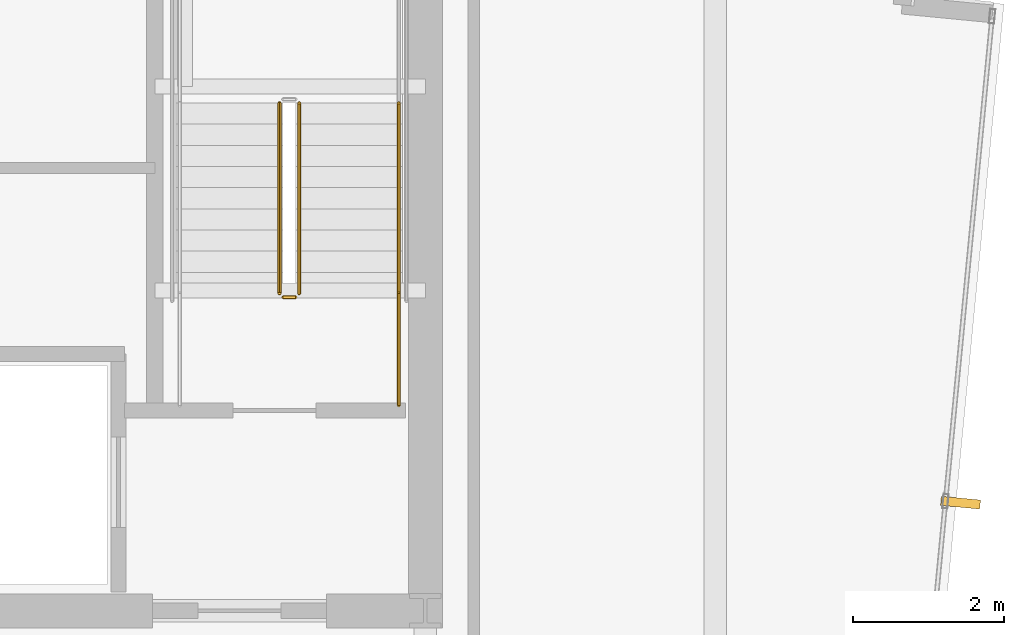
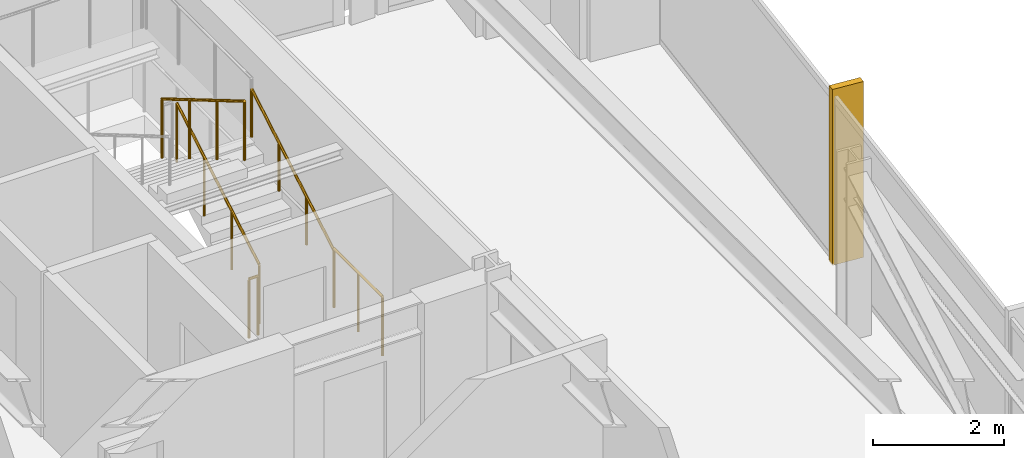
# One storey, part 35 of 37: 5 railings, 1 shading device.
"""IFC4 building model written with IfcOpenShell, lengths in metres."""

import ifcopenshell
import ifcopenshell.guid

model = None  # the IFC model being written
_history = None  # IfcOwnerHistory: only IFC2X3 demands one
_inside = {}  # id of a spatial element -> (the spatial element, [elements in it])
_under = {}  # id of a project, library or spatial element -> (it, [spatial elements below it])
_declared = {}  # id of a project -> (the project, [libraries it declares])
_typed = {}  # id of a type object -> (the type object, [elements of that type])
_made_of = {}  # id of a material, layer set ... -> (it, [elements and type objects made of it])


def new_model(schema):
    """Start an empty IFC model of exactly this schema.

    Asked for "IFC4X3", IfcOpenShell would pick the latest addendum, in which some entities
    have other attributes; the version numbers below select the first issue.
    IFC2X3 requires an IfcOwnerHistory on every rooted entity: one is made here for all.
    """
    global model, _history
    if schema == "IFC4X3":
        model = ifcopenshell.file(schema_version=(4, 3, 0, 0))
    else:
        model = ifcopenshell.file(schema=schema)
    _inside.clear()
    _under.clear()
    _declared.clear()
    _typed.clear()
    _made_of.clear()
    _history = None
    if model.schema == "IFC2X3":
        org = make("IfcOrganization", Name="unknown")
        user = make(
            "IfcPersonAndOrganization",
            ThePerson=make("IfcPerson", FamilyName="unknown"),
            TheOrganization=org,
        )
        app = make(
            "IfcApplication",
            ApplicationDeveloper=org,
            Version="unknown",
            ApplicationFullName="unknown",
            ApplicationIdentifier="unknown",
        )
        _history = make(
            "IfcOwnerHistory",
            OwningUser=user,
            OwningApplication=app,
            ChangeAction="ADDED",
            CreationDate=0,
        )
    return model


def make(cls, **values):
    """One entity of the class cls with the attributes given. An attribute that is None is left unset."""
    return model.create_entity(
        cls, **{name: value for name, value in values.items() if value is not None}
    )


def rooted(cls, **values):
    """An entity with a GlobalId (a new one), such as an element, a storey or a relation."""
    return make(cls, GlobalId=ifcopenshell.guid.new(), OwnerHistory=_history, **values)


def si_unit(unit_type, name, prefix=None):
    """IfcSIUnit, for example si_unit("LENGTHUNIT", "METRE", prefix="MILLI")."""
    return make("IfcSIUnit", UnitType=unit_type, Prefix=prefix, Name=name)


def assignment(units):
    """IfcUnitAssignment: the units of a project."""
    return None if units is None else make("IfcUnitAssignment", Units=units)


def point(xyz):
    """IfcCartesianPoint."""
    return None if xyz is None else make("IfcCartesianPoint", Coordinates=xyz)


def direction(xyz):
    """IfcDirection."""
    return None if xyz is None else make("IfcDirection", DirectionRatios=xyz)


def frame(location, z_axis=None, x_axis=None):
    """IfcAxis2Placement3D, a coordinate frame: its origin and axes. An axis left out is left unset."""
    return make(
        "IfcAxis2Placement3D",
        Location=point(location),
        Axis=direction(z_axis),
        RefDirection=direction(x_axis),
    )


def frame_2d(location, x_axis=None):
    """IfcAxis2Placement2D, a coordinate frame in the plane: its origin and x axis."""
    return make(
        "IfcAxis2Placement2D", Location=point(location), RefDirection=direction(x_axis)
    )


def origin():
    """The frame at (0, 0, 0) with its axes left unset."""
    return frame((0.0, 0.0, 0.0))


def origin_2d():
    """The frame at (0, 0) in the plane with its x axis left unset."""
    return frame_2d((0.0, 0.0))


def place(relative_to, where):
    """IfcLocalPlacement: puts the frame where relative to a parent placement (None: the world)."""
    return make(
        "IfcLocalPlacement", PlacementRelTo=relative_to, RelativePlacement=where
    )


def context(
    kind, dimensions, precision=None, world=None, true_north=None, identifier=None
):
    """IfcGeometricRepresentationContext, for example the 3D "Model" context."""
    return make(
        "IfcGeometricRepresentationContext",
        ContextIdentifier=identifier,
        ContextType=kind,
        CoordinateSpaceDimension=dimensions,
        Precision=precision,
        WorldCoordinateSystem=world,
        TrueNorth=true_north,
    )


def subcontext(parent, identifier, kind, view, scale=None):
    """IfcGeometricRepresentationSubContext, for example "Body" below "Model"."""
    return make(
        "IfcGeometricRepresentationSubContext",
        ContextIdentifier=identifier,
        ContextType=kind,
        ParentContext=parent,
        TargetScale=scale,
        TargetView=view,
    )


def project(units=None, contexts=None):
    """IfcProject with its units and contexts."""
    return rooted(
        "IfcProject",
        Name="project",
        RepresentationContexts=contexts,
        UnitsInContext=assignment(units),
    )


def spatial(cls, under=None, at=None, **own):
    """A site, building, storey or space (cls), placed at a placement, below another one or the project."""
    s = rooted(cls, ObjectPlacement=at, **own)
    if under is not None:
        _under.setdefault(under.id(), (under, []))[1].append(s)
    return s


def profile(cls, at=None, kind="AREA", **sizes):
    """A parametric profile (cls). Its sizes go by their IFC names, for example OverallWidth=200.0."""
    return make(cls, ProfileType=kind, Position=at, **sizes)


def rectangle(**sizes):
    """IfcRectangleProfileDef."""
    return profile("IfcRectangleProfileDef", **sizes)


def circle(**sizes):
    """IfcCircleProfileDef."""
    return profile("IfcCircleProfileDef", **sizes)


def extrude(swept, where, along, depth):
    """IfcExtrudedAreaSolid: the profile swept, set in the frame where, extruded along a direction by depth."""
    return make(
        "IfcExtrudedAreaSolid",
        SweptArea=swept,
        Position=where,
        ExtrudedDirection=direction(along),
        Depth=depth,
    )


def shape(context_of_items, identifier, shape_type, items):
    """IfcShapeRepresentation: the items that make up one representation, for example the "Body"."""
    return make(
        "IfcShapeRepresentation",
        ContextOfItems=context_of_items,
        RepresentationIdentifier=identifier,
        RepresentationType=shape_type,
        Items=items,
    )


def material(Name=None, Category=None):
    """IfcMaterial."""
    return make("IfcMaterial", Name=Name, Category=Category)


def layer(
    of_material, thickness, ventilated=None, Name=None, Category=None, Priority=None
):
    """IfcMaterialLayer: one layer of a wall or slab, of a material (None: an air gap)."""
    return make(
        "IfcMaterialLayer",
        Material=of_material,
        LayerThickness=thickness,
        IsVentilated=ventilated,
        Name=Name,
        Category=Category,
        Priority=Priority,
    )


def layer_set(layers, Name=None):
    """IfcMaterialLayerSet."""
    return make("IfcMaterialLayerSet", MaterialLayers=layers, LayerSetName=Name)


def made_of(thing, what):
    """Note that an element or type object is made of a material, layer set ...; save() writes the relation."""
    if what is not None:
        _made_of.setdefault(what.id(), (what, []))[1].append(thing)
    return thing


def type_object(cls, material=None, **own):
    """A type object (cls), such as IfcWallType, which elements share."""
    return made_of(rooted(cls, **own), material)


def element(
    cls,
    number,
    at=None,
    inside=None,
    cuts=None,
    type_object=None,
    material=None,
    context=None,
    identifier="Body",
    shape_type=None,
    held_by="IfcProductDefinitionShape",
    body=None,
    shapes=None,
    **own,
):
    """One element of the class cls, such as IfcWall. Its Tag is "e" and its number.

    at: its placement. inside: the storey or other place that contains it. cuts: it is an
    opening in that element (IfcRelVoidsElement). A single representation is given by context,
    identifier, shape_type and body (its items); several are given by shapes. held_by: the class
    of the entity that holds the representations. save() writes the other relations.
    """
    e = rooted(cls, Tag="e%d" % number, ObjectPlacement=at, **own)
    if body is not None:
        shapes = [shape(context, identifier, shape_type, body)]
    if shapes is not None:
        e.Representation = make(held_by, Representations=shapes)
    if inside is not None:
        _inside.setdefault(inside.id(), (inside, []))[1].append(e)
    if cuts is not None:
        rooted(
            "IfcRelVoidsElement", RelatingBuildingElement=cuts, RelatedOpeningElement=e
        )
    if type_object is not None:
        _typed.setdefault(type_object.id(), (type_object, []))[1].append(e)
    return made_of(e, material)


def aggregate(whole, parts):
    """IfcRelAggregates: a whole, such as a stair, and the parts it consists of."""
    return rooted("IfcRelAggregates", RelatingObject=whole, RelatedObjects=parts)


def save(model, path):
    """Write the relations noted so far, then the file.

    IfcRelAggregates (storeys below a building ...), IfcRelContainedInSpatialStructure (elements
    in a storey), IfcRelDefinesByType, IfcRelAssociatesMaterial and IfcRelDeclares: one each for
    every whole, place, type object, material and project.
    """
    for whole, parts in _under.values():
        aggregate(whole, parts)
    for where, things in _inside.values():
        rooted(
            "IfcRelContainedInSpatialStructure",
            RelatedElements=things,
            RelatingStructure=where,
        )
    for kind, things in _typed.values():
        rooted("IfcRelDefinesByType", RelatedObjects=things, RelatingType=kind)
    for what, things in _made_of.values():
        rooted("IfcRelAssociatesMaterial", RelatedObjects=things, RelatingMaterial=what)
    for by, libraries in _declared.values():
        rooted("IfcRelDeclares", RelatingContext=by, RelatedDefinitions=libraries)
    model.write(path)


model = new_model("IFC4")

# Units and contexts
model_context = context("Model", 3, precision=1e-05, world=origin(), true_north=direction((0.0, 1.0)))
body_context = subcontext(model_context, "Body", "Model", "MODEL_VIEW")
ifc_project = project(units=[si_unit("LENGTHUNIT", "METRE"), si_unit("AREAUNIT", "SQUARE_METRE"), si_unit("VOLUMEUNIT", "CUBIC_METRE"), si_unit("PLANEANGLEUNIT", "RADIAN"), si_unit("MASSUNIT", "GRAM", prefix="KILO")], contexts=[model_context])

# Site, building, storey
site_placement = place(None, origin())
site = spatial("IfcSite", under=ifc_project, at=site_placement, CompositionType="ELEMENT")
building_placement = place(site_placement, origin())
building = spatial("IfcBuilding", under=site, at=building_placement, Name="Yelkora Congress Tower", CompositionType="ELEMENT")
storey_placement = place(building_placement, frame((0.0, 0.0, 149.0)))
storey = spatial("IfcBuildingStorey", under=building, at=storey_placement, Name="L40", CompositionType="ELEMENT", Elevation=149.0)

# Railings
ifc_material_1 = material(Name="Painted galvanised steel stair well guard with vertical infill", Category="steel")
ifc_layer_1 = layer(ifc_material_1, 0.06005859375)
ifc_layer_set_1 = layer_set([ifc_layer_1], Name="Painted galvanised steel stair well guard with vertical infill")
railing_type_1 = type_object("IfcRailingType", Name="RAIL-STAIR-GUARD-1120", PredefinedType="GUARDRAIL", material=ifc_layer_set_1)
railing_1_placement = place(storey_placement, frame((52.090087890625, 39.60009765625, 0.1650390625)))
element("IfcRailing", 1, at=railing_1_placement, inside=storey, type_object=railing_type_1, Name="ST-02 L40 Stair Well Guardrail 1", PredefinedType="GUARDRAIL", context=body_context, shape_type="SweptSolid", body=[
    extrude(circle(Radius=0.02392578125, at=origin_2d()), frame((0.0, 0.0, 1.09619140625), z_axis=(0.0, 0.861560626758, 0.507654692109), x_axis=(-1.0, 0.0, 0.0)), (0.0, 0.0, 1.0), 2.925048828125),
    extrude(circle(Radius=0.02099609375, at=origin_2d()), origin(), (0.0, 0.0, 1.0), 1.072021484375),
    extrude(circle(Radius=0.02099609375, at=origin_2d()), frame((0.0, 0.840087890625, 0.494873046875)), (0.0, 0.0, 1.0), 1.072021484375),
    extrude(circle(Radius=0.02099609375, at=origin_2d()), frame((0.0, 1.679931640625, 0.989990234375)), (0.0, 0.0, 1.0), 1.072021484375),
    extrude(circle(Radius=0.02099609375, at=origin_2d()), frame((0.0, 2.52001953125, 1.48486328125)), (0.0, 0.0, 1.0), 1.072021484375),
])
railing_2_placement = place(storey_placement, frame((51.830078125, 42.1201171875, 1.81494140625)))
element("IfcRailing", 2, at=railing_2_placement, inside=storey, type_object=railing_type_1, Name="ST-02 L40 Stair Well Guardrail 6", PredefinedType="GUARDRAIL", context=body_context, shape_type="SweptSolid", body=[
    extrude(circle(Radius=0.02392578125, at=origin_2d()), frame((0.0, 0.0, 1.09619140625), z_axis=(0.0, -0.86152411907, 0.507716645641), x_axis=(1.0, 0.0, 0.0)), (0.0, 0.0, 1.0), 2.925048828125),
    extrude(circle(Radius=0.02099609375, at=origin_2d()), origin(), (0.0, 0.0, 1.0), 1.072021484375),
    extrude(circle(Radius=0.02099609375, at=origin_2d()), frame((0.0, -0.840087890625, 0.4951171875)), (0.0, 0.0, 1.0), 1.072021484375),
    extrude(circle(Radius=0.02099609375, at=origin_2d()), frame((0.0, -1.679931640625, 0.989990234375)), (0.0, 0.0, 1.0), 1.072021484375),
    extrude(circle(Radius=0.02099609375, at=origin_2d()), frame((0.0, -2.52001953125, 1.485107421875)), (0.0, 0.0, 1.0), 1.072021484375),
])
railing_3_placement = place(storey_placement, frame((52.0400390625, 39.550048828125, 0.0)))
element("IfcRailing", 3, at=railing_3_placement, inside=storey, type_object=railing_type_1, Name="ST-02 L40 Stair Well Guardrail 7", PredefinedType="GUARDRAIL", context=body_context, shape_type="SweptSolid", body=[
    extrude(circle(Radius=0.02392578125, at=origin_2d()), frame((0.0, 0.0, 1.09619140625), z_axis=(-1.0, 0.0, 0.0), x_axis=(0.0, -1.0, 0.0)), (0.0, 0.0, 1.0), 0.16015625),
    extrude(circle(Radius=0.02099609375, at=origin_2d()), origin(), (0.0, 0.0, 1.0), 1.072021484375),
    extrude(circle(Radius=0.02099609375, at=origin_2d()), frame((-0.16015625, 0.0, 0.0)), (0.0, 0.0, 1.0), 1.072021484375),
])
railing_4_placement = place(storey_placement, frame((53.409912109375, 38.1201171875, 0.0)))
element("IfcRailing", 4, at=railing_4_placement, inside=storey, type_object=railing_type_1, Name="ST-02 L40 Stair Well Guardrail 8", PredefinedType="GUARDRAIL", context=body_context, shape_type="SweptSolid", body=[
    extrude(circle(Radius=0.02392578125, at=origin_2d()), frame((0.0, 0.0, 1.09619140625), z_axis=(0.0, 1.0, 0.0), x_axis=(-1.0, 0.0, 0.0)), (0.0, 0.0, 1.0), 1.47998046875),
    extrude(circle(Radius=0.02099609375, at=origin_2d()), origin(), (0.0, 0.0, 1.0), 1.072021484375),
    extrude(circle(Radius=0.02099609375, at=origin_2d()), frame((0.0, 0.739990234375, 0.0)), (0.0, 0.0, 1.0), 1.072021484375),
    extrude(circle(Radius=0.02099609375, at=origin_2d()), frame((0.0, 1.47998046875, 0.0)), (0.0, 0.0, 1.0), 1.072021484375),
])
ifc_material_2 = material(Name="Brushed stainless steel tubular handrail", Category="steel")
ifc_layer_2 = layer(ifc_material_2, 0.050048828125)
ifc_layer_set_2 = layer_set([ifc_layer_2], Name="Brushed stainless steel tubular handrail")
railing_type_2 = type_object("IfcRailingType", Name="RAIL-STAIR-HAND-920", PredefinedType="HANDRAIL", material=ifc_layer_set_2)
railing_5_placement = place(storey_placement, frame((53.409912109375, 39.60009765625, 0.1650390625)))
element("IfcRailing", 5, at=railing_5_placement, inside=storey, type_object=railing_type_2, Name="ST-02 L40 Pitch Handrail 1", PredefinedType="HANDRAIL", context=body_context, shape_type="SweptSolid", body=[
    extrude(circle(Radius=0.02392578125, at=origin_2d()), frame((0.0, 0.0, 0.89599609375), z_axis=(0.0, 0.861560626758, 0.507654692109), x_axis=(-1.0, 0.0, 0.0)), (0.0, 0.0, 1.0), 2.925048828125),
    extrude(circle(Radius=0.02099609375, at=origin_2d()), origin(), (0.0, 0.0, 1.0), 0.871826171875),
    extrude(circle(Radius=0.02099609375, at=origin_2d()), frame((0.0, 0.840087890625, 0.494873046875)), (0.0, 0.0, 1.0), 0.871826171875),
    extrude(circle(Radius=0.02099609375, at=origin_2d()), frame((0.0, 1.679931640625, 0.989990234375)), (0.0, 0.0, 1.0), 0.871826171875),
    extrude(circle(Radius=0.02099609375, at=origin_2d()), frame((0.0, 2.52001953125, 1.48486328125)), (0.0, 0.0, 1.0), 0.871826171875),
])

# Shading device
ifc_material_3 = material(Name="Champagne anodised aluminium", Category="aluminium")
ifc_layer_3 = layer(ifc_material_3, 3.300048828125)
ifc_layer_set_3 = layer_set([ifc_layer_3], Name="Champagne anodised aluminium")
shading_device_type = type_object("IfcShadingDeviceType", Name="SHD-FIN-ALU-520", PredefinedType="USERDEFINED", material=ifc_layer_set_3)
shading_device_placement = place(storey_placement, frame((60.84521484375, 36.83056640625, -0.02978515625), z_axis=(0.0, 0.0, 1.0), x_axis=(-0.09584575252, -0.995396198367, 0.0)))
element("IfcShadingDevice", 6, at=shading_device_placement, inside=storey, type_object=shading_device_type, Name="L40 Vertical Anodised Solar Fin 15-1", ObjectType="FIN", PredefinedType="USERDEFINED", context=body_context, shape_type="SweptSolid", body=[
    extrude(rectangle(XDim=0.1201171875, YDim=0.52001953125, at=origin_2d()), origin(), (0.0, 0.0, 1.0), 3.280029296875),
])

save(model, "model.ifc")
